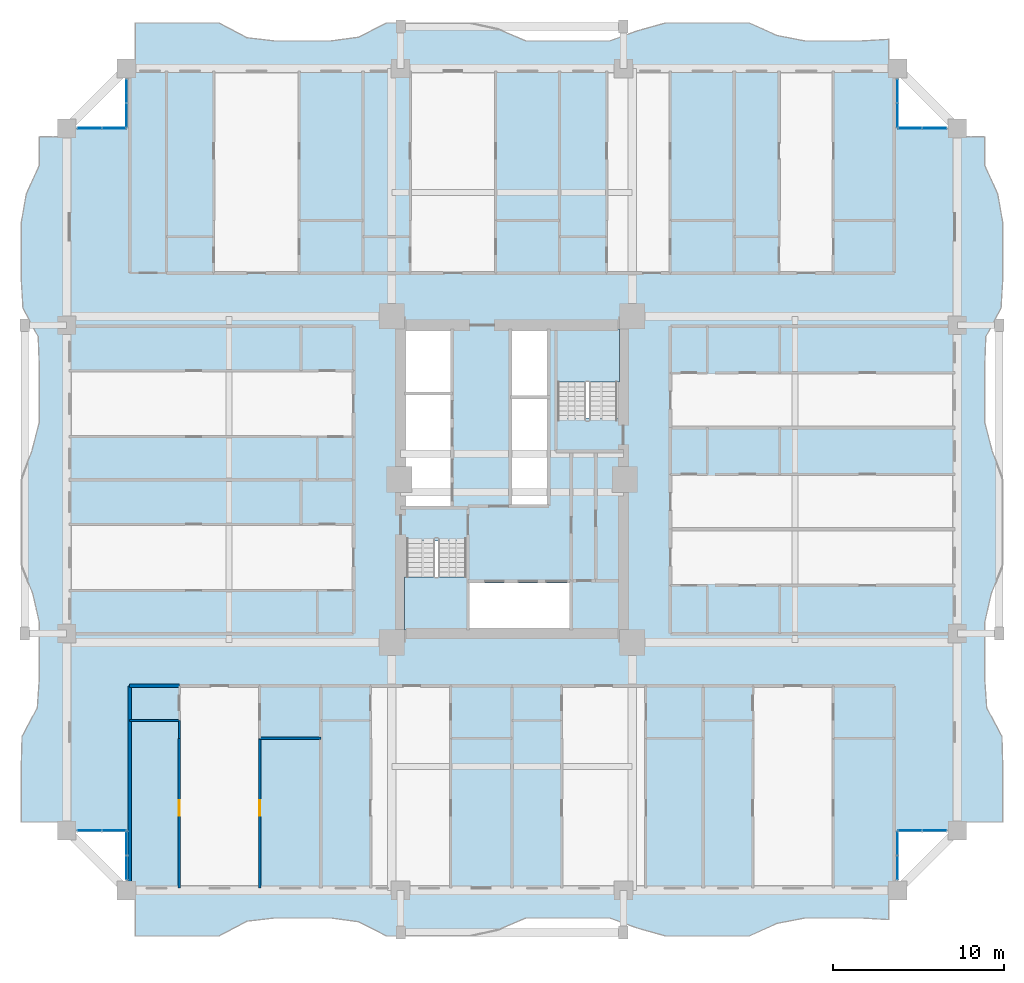
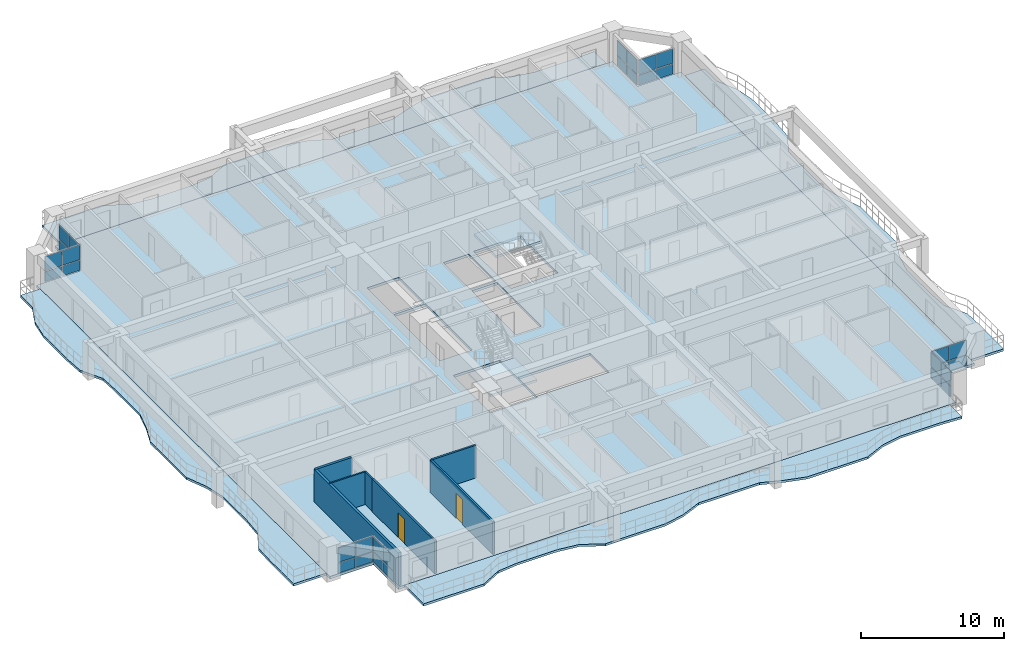
# One storey, part 13 of 27: 32 plates, 7 slabs, 7 walls, 2 doors, 2 openings, 10 elements without a shape of their own.
"""IFC4 building model written with IfcOpenShell, lengths in metres."""

from ifc_helpers import new_model, si_unit, direction, frame, frame_2d, origin, origin_2d, place, context, subcontext, project, spatial, polyline, rectangle, outline, extrude, source, transform, mapped, material, layer, layer_set, type_object, element, fill, aggregate, save


model = new_model("IFC4")

# Units and contexts
model_context = context("Model", 3, precision=1e-05, world=origin(), true_north=direction((0.0, 1.0)))
body_context = subcontext(model_context, "Body", "Model", "MODEL_VIEW")
ifc_project = project(units=[si_unit("LENGTHUNIT", "METRE"), si_unit("AREAUNIT", "SQUARE_METRE"), si_unit("VOLUMEUNIT", "CUBIC_METRE"), si_unit("PLANEANGLEUNIT", "RADIAN"), si_unit("MASSUNIT", "GRAM", prefix="KILO")], contexts=[model_context])

# Site, building, storey
site_placement = place(None, origin())
site = spatial("IfcSite", under=ifc_project, at=site_placement, CompositionType="ELEMENT")
building_placement = place(site_placement, origin())
building = spatial("IfcBuilding", under=site, at=building_placement, Name="Saelheon Loggia Tower", CompositionType="ELEMENT")
storey_placement = place(building_placement, frame((0.0, 0.0, 43.39990234375)))
storey = spatial("IfcBuildingStorey", under=building, at=storey_placement, Name="L13", CompositionType="ELEMENT", Elevation=43.39990234375)

# Slabs
ifc_material_1 = material(Name="Precast Concrete C45/55", Category="concrete")
ifc_layer_1 = layer(ifc_material_1, 0.18994140625)
ifc_layer_set_1 = layer_set([ifc_layer_1], Name="Precast Concrete C45/55")
slab_type_1 = type_object("IfcSlabType", Name="Slab_Loggia_Ext_190", PredefinedType="FLOOR", material=ifc_layer_set_1)
slab_1_placement = place(storey_placement, frame((0.0, 0.0, -0.18994140625)))
element("IfcSlab", 1, at=slab_1_placement, inside=storey, type_object=slab_type_1, Name="L13 Loggia Balcony Slab S", PredefinedType="FLOOR", context=body_context, shape_type="SweptSolid", body=[
    extrude(outline(polyline([(16.0, 0.35009765625), (17.629638671875, 0.35009765625), (19.25927734375, 0.35009765625), (20.888916015625, 0.35009765625), (22.5185546875, 1.208984375), (24.148193359375, 1.39990234375), (25.77783203125, 1.39990234375), (27.407470703125, 1.39990234375), (29.037109375, 1.179931640625), (30.666748046875, 0.35009765625), (32.29638671875, 0.35009765625), (33.92578125, 0.35009765625), (35.5556640625, 0.35009765625), (37.185302734375, 0.706298828125), (38.814697265625, 1.39990234375), (40.4443359375, 1.39990234375), (42.07421875, 1.39990234375), (43.70361328125, 1.39990234375), (45.333251953125, 0.8046875), (46.962890625, 0.35009765625), (48.592529296875, 0.35009765625), (50.22216796875, 0.35009765625), (51.851806640625, 0.35009765625), (53.4814453125, 1.08349609375), (55.111083984375, 1.39990234375), (56.74072265625, 1.39990234375), (58.370361328125, 1.39990234375), (60.0, 1.30322265625), (60.0, 3.0), (16.0, 3.0), (16.0, 0.35009765625)])), origin(), (0.0, 0.0, 1.0), 0.18994140625),
])
slab_2_placement = place(storey_placement, frame((0.0, 0.0, -0.18994140625)))
element("IfcSlab", 2, at=slab_2_placement, inside=storey, type_object=slab_type_1, Name="L13 Loggia Balcony Slab N", PredefinedType="FLOOR", context=body_context, shape_type="SweptSolid", body=[
    extrude(outline(polyline([(16.0, 51.0), (60.0, 51.0), (60.0, 52.69677734375), (58.370361328125, 52.60009765625), (56.74072265625, 52.60009765625), (55.111083984375, 52.60009765625), (53.4814453125, 52.91650390625), (51.851806640625, 53.64990234375), (50.22216796875, 53.64990234375), (48.592529296875, 53.64990234375), (46.962890625, 53.64990234375), (45.333251953125, 53.1953125), (43.70361328125, 52.60009765625), (42.07421875, 52.60009765625), (40.4443359375, 52.60009765625), (38.814697265625, 52.60009765625), (37.185302734375, 53.293701171875), (35.5556640625, 53.64990234375), (33.92578125, 53.64990234375), (32.29638671875, 53.64990234375), (30.666748046875, 53.64990234375), (29.037109375, 52.820068359375), (27.407470703125, 52.60009765625), (25.77783203125, 52.60009765625), (24.148193359375, 52.60009765625), (22.5185546875, 52.791015625), (20.888916015625, 53.64990234375), (19.25927734375, 53.64990234375), (17.629638671875, 53.64990234375), (16.0, 53.64990234375), (16.0, 51.0)])), origin(), (0.0, 0.0, 1.0), 0.18994140625),
])
slab_3_placement = place(storey_placement, frame((0.0, 0.0, -0.18994140625)))
element("IfcSlab", 3, at=slab_3_placement, inside=storey, type_object=slab_type_1, Name="L13 Loggia Balcony Slab E", PredefinedType="FLOOR", context=body_context, shape_type="SweptSolid", body=[
    extrude(outline(polyline([(64.0, 7.0), (66.64990234375, 7.0), (66.64990234375, 8.666748046875), (66.64990234375, 10.333251953125), (66.603271484375, 12.0), (65.7138671875, 13.666748046875), (65.60009765625, 15.333251953125), (65.60009765625, 17.0), (65.60009765625, 18.666748046875), (65.978271484375, 20.333251953125), (66.64990234375, 22.0), (66.64990234375, 23.666748046875), (66.64990234375, 25.333251953125), (66.64990234375, 27.0), (66.0322265625, 28.666748046875), (65.60009765625, 30.333251953125), (65.60009765625, 32.0), (65.60009765625, 33.666748046875), (65.662841796875, 35.333251953125), (66.551513671875, 37.0), (66.64990234375, 38.666748046875), (66.64990234375, 40.333251953125), (66.64990234375, 42.0), (66.357666015625, 43.666748046875), (65.60009765625, 45.333251953125), (65.60009765625, 47.0), (64.0, 47.0), (64.0, 7.0)])), origin(), (0.0, 0.0, 1.0), 0.18994140625),
])
slab_4_placement = place(storey_placement, frame((0.0, 0.0, -0.18994140625)))
element("IfcSlab", 4, at=slab_4_placement, inside=storey, type_object=slab_type_1, Name="L13 Loggia Balcony Slab W", PredefinedType="FLOOR", context=body_context, shape_type="SweptSolid", body=[
    extrude(outline(polyline([(12.0, 7.0), (12.0, 47.0), (10.39990234375, 47.0), (10.39990234375, 45.333251953125), (9.642333984375, 43.666748046875), (9.35009765625, 42.0), (9.35009765625, 40.333251953125), (9.35009765625, 38.666748046875), (9.448486328125, 37.0), (10.337158203125, 35.333251953125), (10.39990234375, 33.666748046875), (10.39990234375, 32.0), (10.39990234375, 30.333251953125), (9.9677734375, 28.666748046875), (9.35009765625, 27.0), (9.35009765625, 25.333251953125), (9.35009765625, 23.666748046875), (9.35009765625, 22.0), (10.021728515625, 20.333251953125), (10.39990234375, 18.666748046875), (10.39990234375, 17.0), (10.39990234375, 15.333251953125), (10.2861328125, 13.666748046875), (9.396728515625, 12.0), (9.35009765625, 10.333251953125), (9.35009765625, 8.666748046875), (9.35009765625, 7.0), (12.0, 7.0)])), origin(), (0.0, 0.0, 1.0), 0.18994140625),
])

# Stair, slab
ifc_material_2 = material(Name="Concrete C40/50", Category="concrete")
stair_type = type_object("IfcStairType", Name="Stair_Escape_Core", PredefinedType="HALF_TURN_STAIR", material=ifc_material_2)
stair_1_placement = place(storey_placement, origin())
stair_1 = element("IfcStair", 5, at=stair_1_placement, inside=storey, type_object=stair_type, Name="L13 Special Escape Stair ST1", PredefinedType="HALF_TURN_STAIR")
ifc_layer_2 = layer(ifc_material_2, 0.199951171875)
ifc_layer_set_2 = layer_set([ifc_layer_2], Name="Concrete C40/50")
slab_type_2 = type_object("IfcSlabType", Name="Slab_StairLanding_ST1", PredefinedType="LANDING", material=ifc_layer_set_2)
slab_5_placement = place(storey_placement, frame((0.0, 0.0, 1.300048828125)))
slab_5 = element("IfcSlab", 6, at=slab_5_placement, type_object=slab_type_2, Name="ST1 landing 1", PredefinedType="LANDING", context=body_context, shape_type="SweptSolid", body=[
    extrude(outline(polyline([(31.7099609375, 21.31005859375), (31.7099609375, 18.2099609375), (35.469970703125, 18.2099609375), (35.469970703125, 21.31005859375), (31.7099609375, 21.31005859375)])), origin(), (0.0, 0.0, 1.0), 0.199951171875),
])
aggregate(stair_1, [slab_5])

stair_2_placement = place(storey_placement, origin())
stair_2 = element("IfcStair", 7, at=stair_2_placement, inside=storey, type_object=stair_type, Name="L13 Special Escape Stair ST2", PredefinedType="HALF_TURN_STAIR")
ifc_layer_3 = layer(ifc_material_2, 0.199951171875)
ifc_layer_set_3 = layer_set([ifc_layer_3], Name="Concrete C40/50")
slab_type_3 = type_object("IfcSlabType", Name="Slab_StairLanding_ST2", PredefinedType="LANDING", material=ifc_layer_set_3)
slab_6_placement = place(storey_placement, frame((0.0, 0.0, 1.300048828125)))
slab_6 = element("IfcSlab", 8, at=slab_6_placement, type_object=slab_type_3, Name="ST2 landing 1", PredefinedType="LANDING", context=body_context, shape_type="SweptSolid", body=[
    extrude(outline(polyline([(44.2900390625, 32.68994140625), (44.2900390625, 35.7900390625), (40.530029296875, 35.7900390625), (40.530029296875, 32.68994140625), (44.2900390625, 32.68994140625)])), origin(), (0.0, 0.0, 1.0), 0.199951171875),
])
aggregate(stair_2, [slab_6])

# Slab
ifc_layer_4 = layer(ifc_material_2, 0.2099609375)
ifc_layer_set_4 = layer_set([ifc_layer_4], Name="Concrete C40/50")
slab_type_4 = type_object("IfcSlabType", Name="Slab_Tower_210", PredefinedType="FLOOR", material=ifc_layer_set_4)
slab_7_placement = place(storey_placement, frame((0.0, 0.0, -0.2099609375)))
element("IfcSlab", 9, at=slab_7_placement, inside=storey, type_object=slab_type_4, Name="L13 Tower Floor Slab", PredefinedType="FLOOR", context=body_context, shape_type="SweptSolid", body=[
    extrude(outline(polyline([(15.5, 3.0), (60.5, 3.0), (60.5, 6.5), (64.0, 6.5), (64.0, 47.5), (60.5, 47.5), (60.5, 51.0), (15.5, 51.0), (15.5, 47.5), (12.0, 47.5), (12.0, 6.5), (15.5, 6.5), (15.5, 3.0)]), holes=[polyline([(31.699951171875, 23.409912109375), (31.699951171875, 18.199951171875), (35.47998046875, 18.199951171875), (35.47998046875, 23.409912109375), (31.699951171875, 23.409912109375)]), polyline([(44.300048828125, 30.590087890625), (44.300048828125, 35.800048828125), (40.52001953125, 35.800048828125), (40.52001953125, 30.590087890625), (44.300048828125, 30.590087890625)]), polyline([(35.530029296875, 18.324951171875), (41.35009765625, 18.324951171875), (41.35009765625, 20.9599609375), (35.530029296875, 20.9599609375), (35.530029296875, 18.324951171875)]), polyline([(31.824951171875, 32.1201171875), (34.419921875, 32.1201171875), (34.419921875, 35.675048828125), (31.824951171875, 35.675048828125), (31.824951171875, 32.1201171875)]), polyline([(38.0, 31.89990234375), (40.050048828125, 31.89990234375), (40.050048828125, 35.675048828125), (38.0, 35.675048828125), (38.0, 31.89990234375)]), polyline([(31.824951171875, 25.449951171875), (34.419921875, 25.449951171875), (34.419921875, 31.919921875), (31.824951171875, 31.919921875), (31.824951171875, 25.449951171875)]), polyline([(38.0, 25.5400390625), (40.050048828125, 25.5400390625), (40.050048828125, 31.699951171875), (38.0, 31.699951171875), (38.0, 25.5400390625)])]), origin(), (0.0, 0.0, 1.0), 0.2099609375),
])

# Curtain wall, plates
ifc_material_3 = material(Name="Thermal-Break Aluminium and Triple Low-E Glass", Category="aluminium")
ifc_layer_5 = layer(ifc_material_3, 0.159912109375)
ifc_layer_set_5 = layer_set([ifc_layer_5], Name="Thermal-Break Aluminium and Triple Low-E Glass")
curtain_wall_type = type_object("IfcCurtainWallType", Name="CW_TowerLoggiaLow", PredefinedType="NOTDEFINED", material=ifc_layer_set_5)
curtain_wall_1_placement = place(storey_placement, origin())
curtain_wall_1 = element("IfcCurtainWall", 10, at=curtain_wall_1_placement, inside=storey, type_object=curtain_wall_type, Name="L13 Corner Notch Glazing SW1", PredefinedType="NOTDEFINED")
ifc_material_4 = material(Name="Triple Low-E Laminated Glazing", Category="glass")
ifc_layer_6 = layer(ifc_material_4, 0.0419921875)
ifc_layer_set_6 = layer_set([ifc_layer_6], Name="Triple Low-E Laminated Glazing")
plate_type = type_object("IfcPlateType", Name="CW_TowerLoggiaLow_Panel", PredefinedType="CURTAIN_PANEL", material=ifc_layer_set_6)
shared_shape_1 = source(origin(), body_context, "Body", "SweptSolid", [
    extrude(rectangle(XDim=1.357421875, YDim=0.0419921875, at=origin_2d()), origin(), (0.0, 0.0, 1.0), 0.8525390625),
])
plate_1_placement = place(storey_placement, frame((15.5, 4.333740234375, 0.065185546875), z_axis=(0.0, 0.0, 1.0), x_axis=(0.0, 1.0, 0.0)))
plate_1 = element("IfcPlate", 11, at=plate_1_placement, type_object=plate_type, Name="CW3 panel 1.1", PredefinedType="CURTAIN_PANEL", context=body_context, shape_type="MappedRepresentation", body=[
    mapped(shared_shape_1, transform((0.0, 0.0, 0.0), scale=1.0)),
])
plate_2_placement = place(storey_placement, frame((15.5, 5.75634765625, 0.065185546875), z_axis=(0.0, 0.0, 1.0), x_axis=(0.0, 1.0, 0.0)))
plate_2 = element("IfcPlate", 12, at=plate_2_placement, type_object=plate_type, Name="CW3 panel 2.1", PredefinedType="CURTAIN_PANEL", context=body_context, shape_type="MappedRepresentation", body=[
    mapped(shared_shape_1, transform((0.0, 0.0, 0.0), scale=1.0)),
])

curtain_wall_2_placement = place(storey_placement, origin())
curtain_wall_2 = element("IfcCurtainWall", 13, at=curtain_wall_2_placement, inside=storey, type_object=curtain_wall_type, Name="L13 Corner Notch Glazing SW2", PredefinedType="NOTDEFINED")
plate_3_placement = place(storey_placement, frame((13.333740234375, 6.5, 0.065185546875), z_axis=(0.0, 0.0, 1.0), x_axis=(1.0, 0.0, 0.0)))
plate_3 = element("IfcPlate", 14, at=plate_3_placement, type_object=plate_type, Name="CW3 panel 1.1", PredefinedType="CURTAIN_PANEL", context=body_context, shape_type="MappedRepresentation", body=[
    mapped(shared_shape_1, transform((0.0, 0.0, 0.0), scale=1.0)),
])
plate_4_placement = place(storey_placement, frame((14.75634765625, 6.5, 0.065185546875), z_axis=(0.0, 0.0, 1.0), x_axis=(1.0, 0.0, 0.0)))
plate_4 = element("IfcPlate", 15, at=plate_4_placement, type_object=plate_type, Name="CW3 panel 2.1", PredefinedType="CURTAIN_PANEL", context=body_context, shape_type="MappedRepresentation", body=[
    mapped(shared_shape_1, transform((0.0, 0.0, 0.0), scale=1.0)),
])

curtain_wall_3_placement = place(storey_placement, origin())
curtain_wall_3 = element("IfcCurtainWall", 16, at=curtain_wall_3_placement, inside=storey, type_object=curtain_wall_type, Name="L13 Corner Notch Glazing SE1", PredefinedType="NOTDEFINED")
plate_5_placement = place(storey_placement, frame((60.5, 4.333740234375, 0.065185546875), z_axis=(0.0, 0.0, 1.0), x_axis=(0.0, 1.0, 0.0)))
plate_5 = element("IfcPlate", 17, at=plate_5_placement, type_object=plate_type, Name="CW3 panel 1.1", PredefinedType="CURTAIN_PANEL", context=body_context, shape_type="MappedRepresentation", body=[
    mapped(shared_shape_1, transform((0.0, 0.0, 0.0), scale=1.0)),
])
plate_6_placement = place(storey_placement, frame((60.5, 5.75634765625, 0.065185546875), z_axis=(0.0, 0.0, 1.0), x_axis=(0.0, 1.0, 0.0)))
plate_6 = element("IfcPlate", 18, at=plate_6_placement, type_object=plate_type, Name="CW3 panel 2.1", PredefinedType="CURTAIN_PANEL", context=body_context, shape_type="MappedRepresentation", body=[
    mapped(shared_shape_1, transform((0.0, 0.0, 0.0), scale=1.0)),
])

curtain_wall_4_placement = place(storey_placement, origin())
curtain_wall_4 = element("IfcCurtainWall", 19, at=curtain_wall_4_placement, inside=storey, type_object=curtain_wall_type, Name="L13 Corner Notch Glazing SE2", PredefinedType="NOTDEFINED")
plate_7_placement = place(storey_placement, frame((61.24365234375, 6.5, 0.065185546875), z_axis=(0.0, 0.0, 1.0), x_axis=(1.0, 0.0, 0.0)))
plate_7 = element("IfcPlate", 20, at=plate_7_placement, type_object=plate_type, Name="CW3 panel 1.1", PredefinedType="CURTAIN_PANEL", context=body_context, shape_type="MappedRepresentation", body=[
    mapped(shared_shape_1, transform((0.0, 0.0, 0.0), scale=1.0)),
])
plate_8_placement = place(storey_placement, frame((62.666259765625, 6.5, 0.065185546875), z_axis=(0.0, 0.0, 1.0), x_axis=(1.0, 0.0, 0.0)))
plate_8 = element("IfcPlate", 21, at=plate_8_placement, type_object=plate_type, Name="CW3 panel 2.1", PredefinedType="CURTAIN_PANEL", context=body_context, shape_type="MappedRepresentation", body=[
    mapped(shared_shape_1, transform((0.0, 0.0, 0.0), scale=1.0)),
])

curtain_wall_5_placement = place(storey_placement, origin())
curtain_wall_5 = element("IfcCurtainWall", 22, at=curtain_wall_5_placement, inside=storey, type_object=curtain_wall_type, Name="L13 Corner Notch Glazing NW1", PredefinedType="NOTDEFINED")
plate_9_placement = place(storey_placement, frame((15.5, 48.24365234375, 0.065185546875), z_axis=(0.0, 0.0, 1.0), x_axis=(0.0, 1.0, 0.0)))
plate_9 = element("IfcPlate", 23, at=plate_9_placement, type_object=plate_type, Name="CW3 panel 1.1", PredefinedType="CURTAIN_PANEL", context=body_context, shape_type="MappedRepresentation", body=[
    mapped(shared_shape_1, transform((0.0, 0.0, 0.0), scale=1.0)),
])
plate_10_placement = place(storey_placement, frame((15.5, 49.666259765625, 0.065185546875), z_axis=(0.0, 0.0, 1.0), x_axis=(0.0, 1.0, 0.0)))
plate_10 = element("IfcPlate", 24, at=plate_10_placement, type_object=plate_type, Name="CW3 panel 2.1", PredefinedType="CURTAIN_PANEL", context=body_context, shape_type="MappedRepresentation", body=[
    mapped(shared_shape_1, transform((0.0, 0.0, 0.0), scale=1.0)),
])

curtain_wall_6_placement = place(storey_placement, origin())
curtain_wall_6 = element("IfcCurtainWall", 25, at=curtain_wall_6_placement, inside=storey, type_object=curtain_wall_type, Name="L13 Corner Notch Glazing NW2", PredefinedType="NOTDEFINED")
plate_11_placement = place(storey_placement, frame((13.333740234375, 47.5, 0.065185546875), z_axis=(0.0, 0.0, 1.0), x_axis=(1.0, 0.0, 0.0)))
plate_11 = element("IfcPlate", 26, at=plate_11_placement, type_object=plate_type, Name="CW3 panel 1.1", PredefinedType="CURTAIN_PANEL", context=body_context, shape_type="MappedRepresentation", body=[
    mapped(shared_shape_1, transform((0.0, 0.0, 0.0), scale=1.0)),
])
plate_12_placement = place(storey_placement, frame((14.75634765625, 47.5, 0.065185546875), z_axis=(0.0, 0.0, 1.0), x_axis=(1.0, 0.0, 0.0)))
plate_12 = element("IfcPlate", 27, at=plate_12_placement, type_object=plate_type, Name="CW3 panel 2.1", PredefinedType="CURTAIN_PANEL", context=body_context, shape_type="MappedRepresentation", body=[
    mapped(shared_shape_1, transform((0.0, 0.0, 0.0), scale=1.0)),
])

curtain_wall_7_placement = place(storey_placement, origin())
curtain_wall_7 = element("IfcCurtainWall", 28, at=curtain_wall_7_placement, inside=storey, type_object=curtain_wall_type, Name="L13 Corner Notch Glazing NE1", PredefinedType="NOTDEFINED")
plate_13_placement = place(storey_placement, frame((60.5, 48.24365234375, 0.065185546875), z_axis=(0.0, 0.0, 1.0), x_axis=(0.0, 1.0, 0.0)))
plate_13 = element("IfcPlate", 29, at=plate_13_placement, type_object=plate_type, Name="CW3 panel 1.1", PredefinedType="CURTAIN_PANEL", context=body_context, shape_type="MappedRepresentation", body=[
    mapped(shared_shape_1, transform((0.0, 0.0, 0.0), scale=1.0)),
])
plate_14_placement = place(storey_placement, frame((60.5, 49.666259765625, 0.065185546875), z_axis=(0.0, 0.0, 1.0), x_axis=(0.0, 1.0, 0.0)))
plate_14 = element("IfcPlate", 30, at=plate_14_placement, type_object=plate_type, Name="CW3 panel 2.1", PredefinedType="CURTAIN_PANEL", context=body_context, shape_type="MappedRepresentation", body=[
    mapped(shared_shape_1, transform((0.0, 0.0, 0.0), scale=1.0)),
])

curtain_wall_8_placement = place(storey_placement, origin())
curtain_wall_8 = element("IfcCurtainWall", 31, at=curtain_wall_8_placement, inside=storey, type_object=curtain_wall_type, Name="L13 Corner Notch Glazing NE2", PredefinedType="NOTDEFINED")
plate_15_placement = place(storey_placement, frame((61.24365234375, 47.5, 0.065185546875), z_axis=(0.0, 0.0, 1.0), x_axis=(1.0, 0.0, 0.0)))
plate_15 = element("IfcPlate", 32, at=plate_15_placement, type_object=plate_type, Name="CW3 panel 1.1", PredefinedType="CURTAIN_PANEL", context=body_context, shape_type="MappedRepresentation", body=[
    mapped(shared_shape_1, transform((0.0, 0.0, 0.0), scale=1.0)),
])
plate_16_placement = place(storey_placement, frame((62.666259765625, 47.5, 0.065185546875), z_axis=(0.0, 0.0, 1.0), x_axis=(1.0, 0.0, 0.0)))
plate_16 = element("IfcPlate", 33, at=plate_16_placement, type_object=plate_type, Name="CW3 panel 2.1", PredefinedType="CURTAIN_PANEL", context=body_context, shape_type="MappedRepresentation", body=[
    mapped(shared_shape_1, transform((0.0, 0.0, 0.0), scale=1.0)),
])

# Plate
shared_shape_2 = source(origin(), body_context, "Body", "SweptSolid", [
    extrude(rectangle(XDim=1.357421875, YDim=0.0419921875, at=origin_2d()), origin(), (0.0, 0.0, 1.0), 1.232421875),
])
plate_17_placement = place(storey_placement, frame((15.5, 4.333740234375, 0.982666015625), z_axis=(0.0, 0.0, 1.0), x_axis=(0.0, 1.0, 0.0)))
plate_17 = element("IfcPlate", 34, at=plate_17_placement, type_object=plate_type, Name="CW3 panel 1.2", PredefinedType="CURTAIN_PANEL", context=body_context, shape_type="MappedRepresentation", body=[
    mapped(shared_shape_2, transform((0.0, 0.0, 0.0), scale=1.0)),
])

plate_18_placement = place(storey_placement, frame((15.5, 5.75634765625, 0.982666015625), z_axis=(0.0, 0.0, 1.0), x_axis=(0.0, 1.0, 0.0)))
plate_18 = element("IfcPlate", 35, at=plate_18_placement, type_object=plate_type, Name="CW3 panel 2.2", PredefinedType="CURTAIN_PANEL", context=body_context, shape_type="MappedRepresentation", body=[
    mapped(shared_shape_2, transform((0.0, 0.0, 0.0), scale=1.0)),
])

aggregate(curtain_wall_1, [plate_1, plate_17, plate_2, plate_18])

plate_19_placement = place(storey_placement, frame((13.333740234375, 6.5, 0.982666015625), z_axis=(0.0, 0.0, 1.0), x_axis=(1.0, 0.0, 0.0)))
plate_19 = element("IfcPlate", 36, at=plate_19_placement, type_object=plate_type, Name="CW3 panel 1.2", PredefinedType="CURTAIN_PANEL", context=body_context, shape_type="MappedRepresentation", body=[
    mapped(shared_shape_2, transform((0.0, 0.0, 0.0), scale=1.0)),
])

plate_20_placement = place(storey_placement, frame((14.75634765625, 6.5, 0.982666015625), z_axis=(0.0, 0.0, 1.0), x_axis=(1.0, 0.0, 0.0)))
plate_20 = element("IfcPlate", 37, at=plate_20_placement, type_object=plate_type, Name="CW3 panel 2.2", PredefinedType="CURTAIN_PANEL", context=body_context, shape_type="MappedRepresentation", body=[
    mapped(shared_shape_2, transform((0.0, 0.0, 0.0), scale=1.0)),
])

aggregate(curtain_wall_2, [plate_3, plate_19, plate_4, plate_20])

plate_21_placement = place(storey_placement, frame((60.5, 4.333740234375, 0.982666015625), z_axis=(0.0, 0.0, 1.0), x_axis=(0.0, 1.0, 0.0)))
plate_21 = element("IfcPlate", 38, at=plate_21_placement, type_object=plate_type, Name="CW3 panel 1.2", PredefinedType="CURTAIN_PANEL", context=body_context, shape_type="MappedRepresentation", body=[
    mapped(shared_shape_2, transform((0.0, 0.0, 0.0), scale=1.0)),
])

plate_22_placement = place(storey_placement, frame((60.5, 5.75634765625, 0.982666015625), z_axis=(0.0, 0.0, 1.0), x_axis=(0.0, 1.0, 0.0)))
plate_22 = element("IfcPlate", 39, at=plate_22_placement, type_object=plate_type, Name="CW3 panel 2.2", PredefinedType="CURTAIN_PANEL", context=body_context, shape_type="MappedRepresentation", body=[
    mapped(shared_shape_2, transform((0.0, 0.0, 0.0), scale=1.0)),
])

aggregate(curtain_wall_3, [plate_5, plate_21, plate_6, plate_22])

plate_23_placement = place(storey_placement, frame((61.24365234375, 6.5, 0.982666015625), z_axis=(0.0, 0.0, 1.0), x_axis=(1.0, 0.0, 0.0)))
plate_23 = element("IfcPlate", 40, at=plate_23_placement, type_object=plate_type, Name="CW3 panel 1.2", PredefinedType="CURTAIN_PANEL", context=body_context, shape_type="MappedRepresentation", body=[
    mapped(shared_shape_2, transform((0.0, 0.0, 0.0), scale=1.0)),
])

plate_24_placement = place(storey_placement, frame((62.666259765625, 6.5, 0.982666015625), z_axis=(0.0, 0.0, 1.0), x_axis=(1.0, 0.0, 0.0)))
plate_24 = element("IfcPlate", 41, at=plate_24_placement, type_object=plate_type, Name="CW3 panel 2.2", PredefinedType="CURTAIN_PANEL", context=body_context, shape_type="MappedRepresentation", body=[
    mapped(shared_shape_2, transform((0.0, 0.0, 0.0), scale=1.0)),
])

aggregate(curtain_wall_4, [plate_7, plate_23, plate_8, plate_24])

plate_25_placement = place(storey_placement, frame((15.5, 48.24365234375, 0.982666015625), z_axis=(0.0, 0.0, 1.0), x_axis=(0.0, 1.0, 0.0)))
plate_25 = element("IfcPlate", 42, at=plate_25_placement, type_object=plate_type, Name="CW3 panel 1.2", PredefinedType="CURTAIN_PANEL", context=body_context, shape_type="MappedRepresentation", body=[
    mapped(shared_shape_2, transform((0.0, 0.0, 0.0), scale=1.0)),
])

plate_26_placement = place(storey_placement, frame((15.5, 49.666259765625, 0.982666015625), z_axis=(0.0, 0.0, 1.0), x_axis=(0.0, 1.0, 0.0)))
plate_26 = element("IfcPlate", 43, at=plate_26_placement, type_object=plate_type, Name="CW3 panel 2.2", PredefinedType="CURTAIN_PANEL", context=body_context, shape_type="MappedRepresentation", body=[
    mapped(shared_shape_2, transform((0.0, 0.0, 0.0), scale=1.0)),
])

aggregate(curtain_wall_5, [plate_9, plate_25, plate_10, plate_26])

plate_27_placement = place(storey_placement, frame((13.333740234375, 47.5, 0.982666015625), z_axis=(0.0, 0.0, 1.0), x_axis=(1.0, 0.0, 0.0)))
plate_27 = element("IfcPlate", 44, at=plate_27_placement, type_object=plate_type, Name="CW3 panel 1.2", PredefinedType="CURTAIN_PANEL", context=body_context, shape_type="MappedRepresentation", body=[
    mapped(shared_shape_2, transform((0.0, 0.0, 0.0), scale=1.0)),
])

plate_28_placement = place(storey_placement, frame((14.75634765625, 47.5, 0.982666015625), z_axis=(0.0, 0.0, 1.0), x_axis=(1.0, 0.0, 0.0)))
plate_28 = element("IfcPlate", 45, at=plate_28_placement, type_object=plate_type, Name="CW3 panel 2.2", PredefinedType="CURTAIN_PANEL", context=body_context, shape_type="MappedRepresentation", body=[
    mapped(shared_shape_2, transform((0.0, 0.0, 0.0), scale=1.0)),
])

aggregate(curtain_wall_6, [plate_11, plate_27, plate_12, plate_28])

plate_29_placement = place(storey_placement, frame((60.5, 48.24365234375, 0.982666015625), z_axis=(0.0, 0.0, 1.0), x_axis=(0.0, 1.0, 0.0)))
plate_29 = element("IfcPlate", 46, at=plate_29_placement, type_object=plate_type, Name="CW3 panel 1.2", PredefinedType="CURTAIN_PANEL", context=body_context, shape_type="MappedRepresentation", body=[
    mapped(shared_shape_2, transform((0.0, 0.0, 0.0), scale=1.0)),
])

plate_30_placement = place(storey_placement, frame((60.5, 49.666259765625, 0.982666015625), z_axis=(0.0, 0.0, 1.0), x_axis=(0.0, 1.0, 0.0)))
plate_30 = element("IfcPlate", 47, at=plate_30_placement, type_object=plate_type, Name="CW3 panel 2.2", PredefinedType="CURTAIN_PANEL", context=body_context, shape_type="MappedRepresentation", body=[
    mapped(shared_shape_2, transform((0.0, 0.0, 0.0), scale=1.0)),
])

aggregate(curtain_wall_7, [plate_13, plate_29, plate_14, plate_30])

plate_31_placement = place(storey_placement, frame((61.24365234375, 47.5, 0.982666015625), z_axis=(0.0, 0.0, 1.0), x_axis=(1.0, 0.0, 0.0)))
plate_31 = element("IfcPlate", 48, at=plate_31_placement, type_object=plate_type, Name="CW3 panel 1.2", PredefinedType="CURTAIN_PANEL", context=body_context, shape_type="MappedRepresentation", body=[
    mapped(shared_shape_2, transform((0.0, 0.0, 0.0), scale=1.0)),
])

plate_32_placement = place(storey_placement, frame((62.666259765625, 47.5, 0.982666015625), z_axis=(0.0, 0.0, 1.0), x_axis=(1.0, 0.0, 0.0)))
plate_32 = element("IfcPlate", 49, at=plate_32_placement, type_object=plate_type, Name="CW3 panel 2.2", PredefinedType="CURTAIN_PANEL", context=body_context, shape_type="MappedRepresentation", body=[
    mapped(shared_shape_2, transform((0.0, 0.0, 0.0), scale=1.0)),
])

aggregate(curtain_wall_8, [plate_15, plate_31, plate_16, plate_32])

# Wall
ifc_material_5 = material(Name="Lightweight Autoclaved Aerated Concrete Block and Acoustic Gypsum", Category="concrete")
ifc_layer_7 = layer(ifc_material_5, 0.14990234375)
ifc_layer_set_7 = layer_set([ifc_layer_7], Name="Lightweight Autoclaved Aerated Concrete Block and Acoustic Gypsum")
wall_type_1 = type_object("IfcWallType", Name="Wall_Part_150", PredefinedType="PARTITIONING", material=ifc_layer_set_7)
wall_1_placement = place(storey_placement, frame((23.268798828125, 11.8798828125, 0.0), z_axis=(0.0, 0.0, 1.0), x_axis=(1.0, 0.0, 0.0)))
element("IfcWall", 50, at=wall_1_placement, inside=storey, type_object=wall_type_1, Name="L13 S Partition V07", PredefinedType="PARTITIONING", context=body_context, shape_type="SweptSolid", body=[
    extrude(rectangle(XDim=3.5712890625, YDim=0.14990234375, at=frame_2d((1.78564453125, 0.0))), origin(), (0.0, 0.0, 1.0), 2.7900390625),
])

# Wall, opening, door
wall_2_placement = place(storey_placement, frame((18.58154296875, 11.8798828125, 0.0), z_axis=(0.0, 0.0, 1.0), x_axis=(0.0, -1.0, 0.0)))
wall_2 = element("IfcWall", 51, at=wall_2_placement, inside=storey, type_object=wall_type_1, Name="L13 S Partition U10", PredefinedType="PARTITIONING", context=body_context, shape_type="SweptSolid", body=[
    extrude(rectangle(XDim=8.72998046875, YDim=0.14990234375, at=frame_2d((4.364990234375, 0.0))), origin(), (0.0, 0.0, 1.0), 2.7900390625),
])
opening_1_placement = place(wall_2_placement, frame((3.608642578125, 0.0, 0.0)))
opening_1 = element("IfcOpeningElement", 52, at=opening_1_placement, cuts=wall_2, Name="Opening D-IN2", PredefinedType="OPENING", context=body_context, shape_type="SweptSolid", body=[
    extrude(rectangle(XDim=0.89990234375, YDim=2.10009765625, at=frame_2d((0.449951171875, 1.050048828125))), frame((0.0, 0.0869140625, 0.0), z_axis=(0.0, -1.0, 0.0), x_axis=(1.0, 0.0, 0.0)), (0.0, 0.0, 1.0), 0.173828125),
])
ifc_material_6 = material(Name="Engineered Oak Flush Door", Category="timber")
door_type = type_object("IfcDoorType", Name="Door_Int_900", OperationType="NOTDEFINED", PredefinedType="DOOR", material=ifc_material_6)
shared_shape_3 = source(origin(), body_context, "Body", "SweptSolid", [
    extrude(rectangle(XDim=0.89990234375, YDim=2.10009765625, at=frame_2d((0.449951171875, 1.050048828125))), frame((0.0, 0.02490234375, 0.0), z_axis=(0.0, -1.0, 0.0), x_axis=(1.0, 0.0, 0.0)), (0.0, 0.0, 1.0), 0.050048828125),
])
door_1_placement = place(opening_1_placement, origin())
door_1 = element("IfcDoor", 53, at=door_1_placement, inside=storey, type_object=door_type, Name="Unit U01 Bedroom 2 Door", OperationType="SINGLE_SWING_LEFT", OverallHeight=2.10009765625, OverallWidth=0.89990234375, PredefinedType="DOOR", context=body_context, shape_type="MappedRepresentation", body=[
    mapped(shared_shape_3, transform((0.0, 0.0, 0.0), scale=1.0)),
])
fill(opening_1, door_1)

wall_3_placement = place(storey_placement, frame((23.268798828125, 11.8798828125, 0.0), z_axis=(0.0, 0.0, 1.0), x_axis=(0.0, -1.0, 0.0)))
wall_3 = element("IfcWall", 54, at=wall_3_placement, inside=storey, type_object=wall_type_1, Name="L13 S Partition U12", PredefinedType="PARTITIONING", context=body_context, shape_type="SweptSolid", body=[
    extrude(rectangle(XDim=8.72998046875, YDim=0.14990234375, at=frame_2d((4.364990234375, 0.0))), origin(), (0.0, 0.0, 1.0), 2.7900390625),
])
opening_2_placement = place(wall_3_placement, frame((3.608642578125, 0.0, 0.0)))
opening_2 = element("IfcOpeningElement", 55, at=opening_2_placement, cuts=wall_3, Name="Opening D-IN2", PredefinedType="OPENING", context=body_context, shape_type="SweptSolid", body=[
    extrude(rectangle(XDim=0.89990234375, YDim=2.10009765625, at=frame_2d((0.449951171875, 1.050048828125))), frame((0.0, 0.0869140625, 0.0), z_axis=(0.0, -1.0, 0.0), x_axis=(1.0, 0.0, 0.0)), (0.0, 0.0, 1.0), 0.173828125),
])
door_2_placement = place(opening_2_placement, origin())
door_2 = element("IfcDoor", 56, at=door_2_placement, inside=storey, type_object=door_type, Name="Unit U01 Bedroom 1 Door", OperationType="SINGLE_SWING_LEFT", OverallHeight=2.10009765625, OverallWidth=0.89990234375, PredefinedType="DOOR", context=body_context, shape_type="MappedRepresentation", body=[
    mapped(shared_shape_3, transform((0.0, 0.0, 0.0), scale=1.0)),
])
fill(opening_2, door_2)

# Walls
ifc_material_7 = material(Name="Double Acoustic Stud and Fireboard Partition", Category="gypsum")
ifc_layer_8 = layer(ifc_material_7, 0.199951171875)
ifc_layer_set_8 = layer_set([ifc_layer_8], Name="Double Acoustic Stud and Fireboard Partition")
wall_type_2 = type_object("IfcWallType", Name="Wall_Party_200", PredefinedType="PARTITIONING", material=ifc_layer_set_8)
wall_4_placement = place(storey_placement, frame((15.679931640625, 14.949951171875, 0.0), z_axis=(0.0, 0.0, 1.0), x_axis=(0.0, -1.0, 0.0)))
element("IfcWall", 57, at=wall_4_placement, inside=storey, type_object=wall_type_2, Name="L13 S Partition U01", PredefinedType="PARTITIONING", context=body_context, shape_type="SweptSolid", body=[
    extrude(rectangle(XDim=11.800048828125, YDim=0.199951171875, at=frame_2d((5.89990234375, 0.0))), origin(), (0.0, 0.0, 1.0), 2.7900390625),
])
wall_5_placement = place(storey_placement, frame((15.679931640625, 14.949951171875, 0.0), z_axis=(0.0, 0.0, 1.0), x_axis=(1.0, 0.0, 0.0)))
element("IfcWall", 58, at=wall_5_placement, inside=storey, type_object=wall_type_2, Name="L13 S Partition V03", PredefinedType="PARTITIONING", context=body_context, shape_type="SweptSolid", body=[
    extrude(rectangle(XDim=2.901611328125, YDim=0.199951171875, at=frame_2d((1.45068359375, 0.0))), origin(), (0.0, 0.0, 1.0), 2.7900390625),
])
ifc_material_8 = material(Name="Moisture-Resistant Cement Board Partition", Category="gypsum")
ifc_layer_9 = layer(ifc_material_8, 0.1201171875)
ifc_layer_set_9 = layer_set([ifc_layer_9], Name="Moisture-Resistant Cement Board Partition")
wall_type_3 = type_object("IfcWallType", Name="Wall_WetPart_120", PredefinedType="PARTITIONING", material=ifc_layer_set_9)
wall_6_placement = place(storey_placement, frame((15.679931640625, 12.929931640625, 0.0), z_axis=(0.0, 0.0, 1.0), x_axis=(1.0, 0.0, 0.0)))
element("IfcWall", 59, at=wall_6_placement, inside=storey, type_object=wall_type_3, Name="L13 S Partition V06", PredefinedType="PARTITIONING", context=body_context, shape_type="SweptSolid", body=[
    extrude(rectangle(XDim=2.901611328125, YDim=0.1201171875, at=frame_2d((1.45068359375, 0.0))), origin(), (0.0, 0.0, 1.0), 2.7900390625),
])
wall_7_placement = place(storey_placement, frame((18.58154296875, 12.929931640625, 0.0), z_axis=(0.0, 0.0, 1.0), x_axis=(0.0, -1.0, 0.0)))
element("IfcWall", 60, at=wall_7_placement, inside=storey, type_object=wall_type_3, Name="L13 S Partition U09", PredefinedType="PARTITIONING", context=body_context, shape_type="SweptSolid", body=[
    extrude(rectangle(XDim=1.050048828125, YDim=0.1201171875, at=frame_2d((0.52490234375, 0.0))), origin(), (0.0, 0.0, 1.0), 2.7900390625),
])

save(model, "model.ifc")
